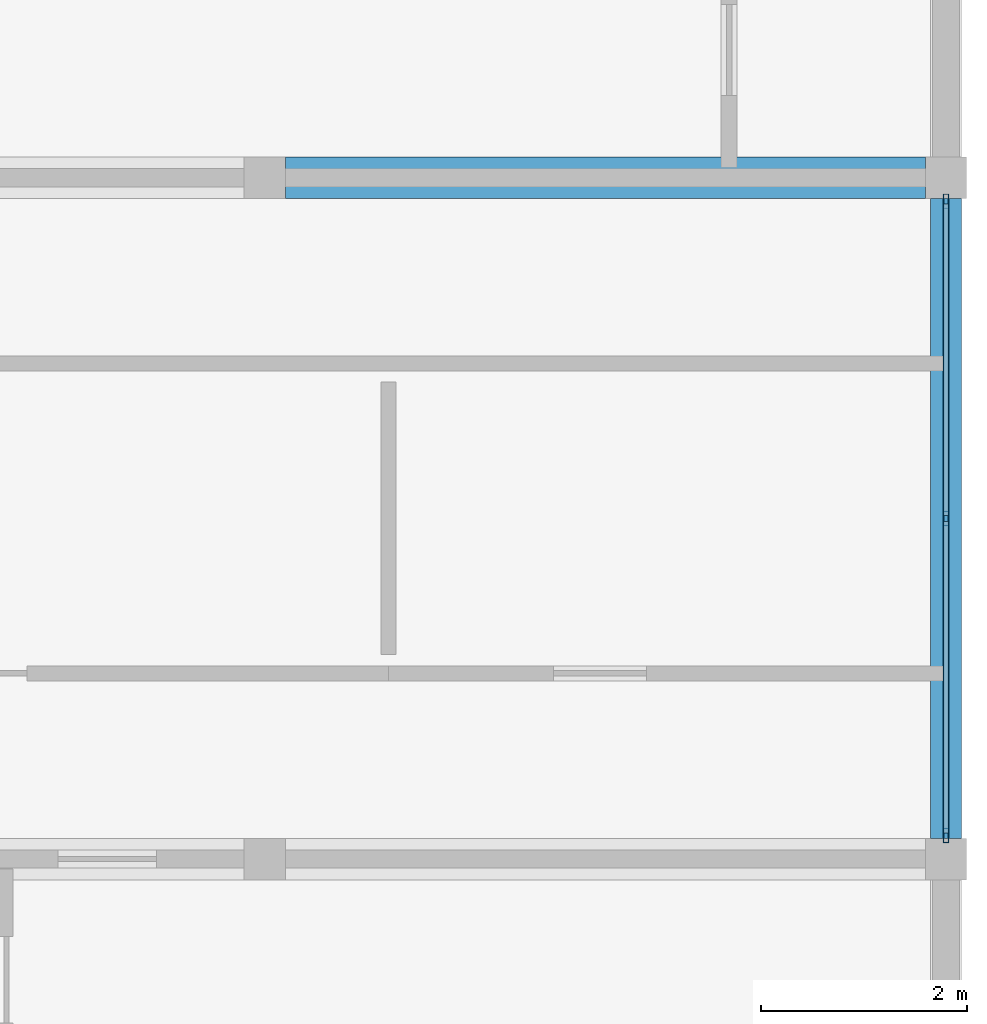
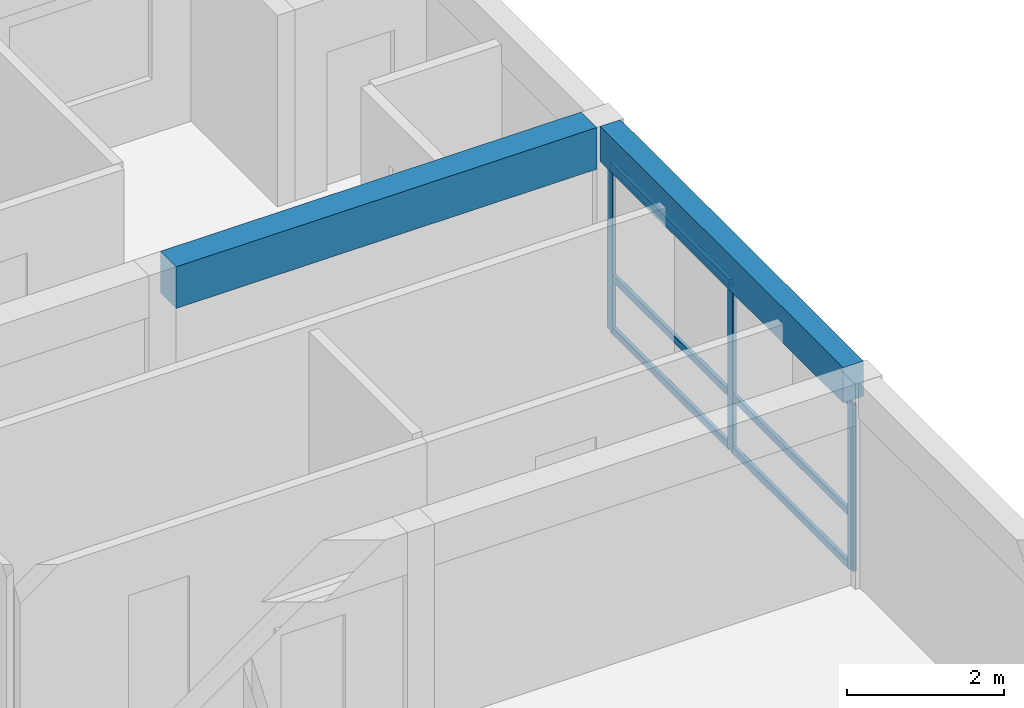
# One storey, part 15 of 34: 9 members, 2 beams, 1 element without a shape of its own.
"""IFC4 building model written with IfcOpenShell, lengths in metres."""

from ifc_helpers import new_model, si_unit, direction, frame, origin, origin_2d, place, context, subcontext, project, spatial, rectangle, hollow_rectangle, extrude, material, material_profile, profile_set, type_object, element, aggregate, save


model = new_model("IFC4")

# Units and contexts
model_context = context("Model", 3, precision=1e-05, world=origin(), true_north=direction((0.0, 1.0)))
body_context = subcontext(model_context, "Body", "Model", "MODEL_VIEW")
ifc_project = project(units=[si_unit("LENGTHUNIT", "METRE"), si_unit("AREAUNIT", "SQUARE_METRE"), si_unit("VOLUMEUNIT", "CUBIC_METRE"), si_unit("PLANEANGLEUNIT", "RADIAN"), si_unit("MASSUNIT", "GRAM", prefix="KILO")], contexts=[model_context])

# Site, building, storey
site_placement = place(None, origin())
site = spatial("IfcSite", under=ifc_project, at=site_placement, CompositionType="ELEMENT")
building_placement = place(site_placement, origin())
building = spatial("IfcBuilding", under=site, at=building_placement, Name="Kernevlak Ridge Housing Community", CompositionType="ELEMENT")
storey_placement = place(building_placement, frame((0.0, 0.0, 40.39990234375)))
storey = spatial("IfcBuildingStorey", under=building, at=storey_placement, Name="L12", CompositionType="ELEMENT", Elevation=40.39990234375)

# Beam
ifc_material_1 = material(Name="Concrete C35/45", Category="concrete")
ifc_material_profile_1 = material_profile(ifc_material_1, rectangle(XDim=0.39990234375, YDim=0.64990234375, at=origin_2d()), Name="RC 400x650")
ifc_profile_set_1 = profile_set([ifc_material_profile_1], Name="Concrete C35/45")
beam_type_1 = type_object("IfcBeamType", Name="B-03", PredefinedType="T_BEAM", material=ifc_profile_set_1)
beam_1_placement = place(storey_placement, frame((146.0, 95.800048828125, 2.875), z_axis=(1.0, 0.0, 0.0), x_axis=(0.0, 1.0, 0.0)))
element("IfcBeam", 1, at=beam_1_placement, inside=storey, type_object=beam_type_1, Name="Beam B-03 L12 903", PredefinedType="T_BEAM", context=body_context, shape_type="SweptSolid", body=[
    extrude(rectangle(XDim=0.39990234375, YDim=0.64990234375, at=origin_2d()), origin(), (0.0, 0.0, 1.0), 6.199951171875),
])

# Curtain wall, members
ifc_material_2 = material(Name="Aluminium EN AW-6060 anodised and laminated glass", Category="aluminium")
curtain_wall_type = type_object("IfcCurtainWallType", Name="CW-12", PredefinedType="NOTDEFINED", material=ifc_material_2)
curtain_wall_placement = place(storey_placement, origin())
curtain_wall = element("IfcCurtainWall", 2, at=curtain_wall_placement, inside=storey, type_object=curtain_wall_type, Name="Curtain wall CW-12 CW-L12-093", PredefinedType="NOTDEFINED")
ifc_material_3 = material(Name="Aluminium EN AW-6060 anodised", Category="aluminium")
ifc_material_profile_2 = material_profile(ifc_material_3, hollow_rectangle(XDim=0.054931640625, YDim=0.139892578125, WallThickness=0.00390625, InnerFilletRadius=0.001953125, OuterFilletRadius=0.00390625, at=origin_2d()), Name="ALU 55x140x4")
ifc_profile_set_2 = profile_set([ifc_material_profile_2], Name="Aluminium EN AW-6060 anodised")
member_type_1 = type_object("IfcMemberType", Name="MU-01", PredefinedType="MULLION", material=ifc_profile_set_2)
member_1_placement = place(storey_placement, frame((152.39990234375, 89.427490234375, 0.0), z_axis=(0.0, 0.0, 1.0), x_axis=(-1.0, 0.0, 0.0)))
member_1 = element("IfcMember", 3, at=member_1_placement, type_object=member_type_1, Name="CW-12 mullion 1", PredefinedType="MULLION", context=body_context, shape_type="SweptSolid", body=[
    extrude(hollow_rectangle(XDim=0.054931640625, YDim=0.139892578125, WallThickness=0.00390625, InnerFilletRadius=0.001953125, OuterFilletRadius=0.00390625, at=origin_2d()), origin(), (0.0, 0.0, 1.0), 2.60009765625),
])
member_2_placement = place(storey_placement, frame((152.39990234375, 92.5, 0.0), z_axis=(0.0, 0.0, 1.0), x_axis=(-1.0, 0.0, 0.0)))
member_2 = element("IfcMember", 4, at=member_2_placement, type_object=member_type_1, Name="CW-12 mullion 2", PredefinedType="MULLION", context=body_context, shape_type="SweptSolid", body=[
    extrude(hollow_rectangle(XDim=0.054931640625, YDim=0.139892578125, WallThickness=0.00390625, InnerFilletRadius=0.001953125, OuterFilletRadius=0.00390625, at=origin_2d()), origin(), (0.0, 0.0, 1.0), 2.60009765625),
])
member_3_placement = place(storey_placement, frame((152.39990234375, 95.572509765625, 0.0), z_axis=(0.0, 0.0, 1.0), x_axis=(-1.0, 0.0, 0.0)))
member_3 = element("IfcMember", 5, at=member_3_placement, type_object=member_type_1, Name="CW-12 mullion 3", PredefinedType="MULLION", context=body_context, shape_type="SweptSolid", body=[
    extrude(hollow_rectangle(XDim=0.054931640625, YDim=0.139892578125, WallThickness=0.00390625, InnerFilletRadius=0.001953125, OuterFilletRadius=0.00390625, at=origin_2d()), origin(), (0.0, 0.0, 1.0), 2.60009765625),
])

# Beam
ifc_material_profile_3 = material_profile(ifc_material_1, rectangle(XDim=0.300048828125, YDim=0.550048828125, at=origin_2d()), Name="RC 300x550")
ifc_profile_set_3 = profile_set([ifc_material_profile_3], Name="Concrete C35/45")
beam_type_2 = type_object("IfcBeamType", Name="SP-01", PredefinedType="SPANDREL", material=ifc_profile_set_3)
beam_2_placement = place(storey_placement, frame((152.39990234375, 89.39990234375, 2.925048828125), z_axis=(0.0, 1.0, 0.0), x_axis=(-1.0, 0.0, 0.0)))
element("IfcBeam", 6, at=beam_2_placement, inside=storey, type_object=beam_type_2, Name="Beam SP-01 L12 913", PredefinedType="SPANDREL", context=body_context, shape_type="SweptSolid", body=[
    extrude(rectangle(XDim=0.300048828125, YDim=0.550048828125, at=origin_2d()), origin(), (0.0, 0.0, 1.0), 6.2001953125),
])

# Member
ifc_material_profile_4 = material_profile(ifc_material_3, hollow_rectangle(XDim=0.054931640625, YDim=0.110107421875, WallThickness=0.00390625, InnerFilletRadius=0.001953125, OuterFilletRadius=0.00390625, at=origin_2d()), Name="ALU 55x110x4")
ifc_profile_set_4 = profile_set([ifc_material_profile_4], Name="Aluminium EN AW-6060 anodised")
member_type_2 = type_object("IfcMemberType", Name="TM-01", PredefinedType="USERDEFINED", material=ifc_profile_set_4)
member_4_placement = place(storey_placement, frame((152.39990234375, 89.455078125, 0.027587890625), z_axis=(0.0, 1.0, 0.0), x_axis=(-1.0, 0.0, 0.0)))
member_4 = element("IfcMember", 7, at=member_4_placement, type_object=member_type_2, Name="CW-12 transom 1.1", ObjectType="TRANSOM", PredefinedType="USERDEFINED", context=body_context, shape_type="SweptSolid", body=[
    extrude(hollow_rectangle(XDim=0.054931640625, YDim=0.110107421875, WallThickness=0.00390625, InnerFilletRadius=0.001953125, OuterFilletRadius=0.00390625, at=origin_2d()), origin(), (0.0, 0.0, 1.0), 3.017333984375),
])

member_5_placement = place(storey_placement, frame((152.39990234375, 89.455078125, 0.85009765625), z_axis=(0.0, 1.0, 0.0), x_axis=(-1.0, 0.0, 0.0)))
member_5 = element("IfcMember", 8, at=member_5_placement, type_object=member_type_2, Name="CW-12 transom 1.2", ObjectType="TRANSOM", PredefinedType="USERDEFINED", context=body_context, shape_type="SweptSolid", body=[
    extrude(hollow_rectangle(XDim=0.054931640625, YDim=0.110107421875, WallThickness=0.00390625, InnerFilletRadius=0.001953125, OuterFilletRadius=0.00390625, at=origin_2d()), origin(), (0.0, 0.0, 1.0), 3.017333984375),
])

member_6_placement = place(storey_placement, frame((152.39990234375, 89.455078125, 2.572509765625), z_axis=(0.0, 1.0, 0.0), x_axis=(-1.0, 0.0, 0.0)))
member_6 = element("IfcMember", 9, at=member_6_placement, type_object=member_type_2, Name="CW-12 transom 1.3", ObjectType="TRANSOM", PredefinedType="USERDEFINED", context=body_context, shape_type="SweptSolid", body=[
    extrude(hollow_rectangle(XDim=0.054931640625, YDim=0.110107421875, WallThickness=0.00390625, InnerFilletRadius=0.001953125, OuterFilletRadius=0.00390625, at=origin_2d()), origin(), (0.0, 0.0, 1.0), 3.017333984375),
])

member_7_placement = place(storey_placement, frame((152.39990234375, 92.527587890625, 0.027587890625), z_axis=(0.0, 1.0, 0.0), x_axis=(-1.0, 0.0, 0.0)))
member_7 = element("IfcMember", 10, at=member_7_placement, type_object=member_type_2, Name="CW-12 transom 2.1", ObjectType="TRANSOM", PredefinedType="USERDEFINED", context=body_context, shape_type="SweptSolid", body=[
    extrude(hollow_rectangle(XDim=0.054931640625, YDim=0.110107421875, WallThickness=0.00390625, InnerFilletRadius=0.001953125, OuterFilletRadius=0.00390625, at=origin_2d()), origin(), (0.0, 0.0, 1.0), 3.017333984375),
])

member_8_placement = place(storey_placement, frame((152.39990234375, 92.527587890625, 0.85009765625), z_axis=(0.0, 1.0, 0.0), x_axis=(-1.0, 0.0, 0.0)))
member_8 = element("IfcMember", 11, at=member_8_placement, type_object=member_type_2, Name="CW-12 transom 2.2", ObjectType="TRANSOM", PredefinedType="USERDEFINED", context=body_context, shape_type="SweptSolid", body=[
    extrude(hollow_rectangle(XDim=0.054931640625, YDim=0.110107421875, WallThickness=0.00390625, InnerFilletRadius=0.001953125, OuterFilletRadius=0.00390625, at=origin_2d()), origin(), (0.0, 0.0, 1.0), 3.017333984375),
])

member_9_placement = place(storey_placement, frame((152.39990234375, 92.527587890625, 2.572509765625), z_axis=(0.0, 1.0, 0.0), x_axis=(-1.0, 0.0, 0.0)))
member_9 = element("IfcMember", 12, at=member_9_placement, type_object=member_type_2, Name="CW-12 transom 2.3", ObjectType="TRANSOM", PredefinedType="USERDEFINED", context=body_context, shape_type="SweptSolid", body=[
    extrude(hollow_rectangle(XDim=0.054931640625, YDim=0.110107421875, WallThickness=0.00390625, InnerFilletRadius=0.001953125, OuterFilletRadius=0.00390625, at=origin_2d()), origin(), (0.0, 0.0, 1.0), 3.017333984375),
])

aggregate(curtain_wall, [member_1, member_2, member_3, member_4, member_5, member_6, member_7, member_8, member_9])

save(model, "model.ifc")
